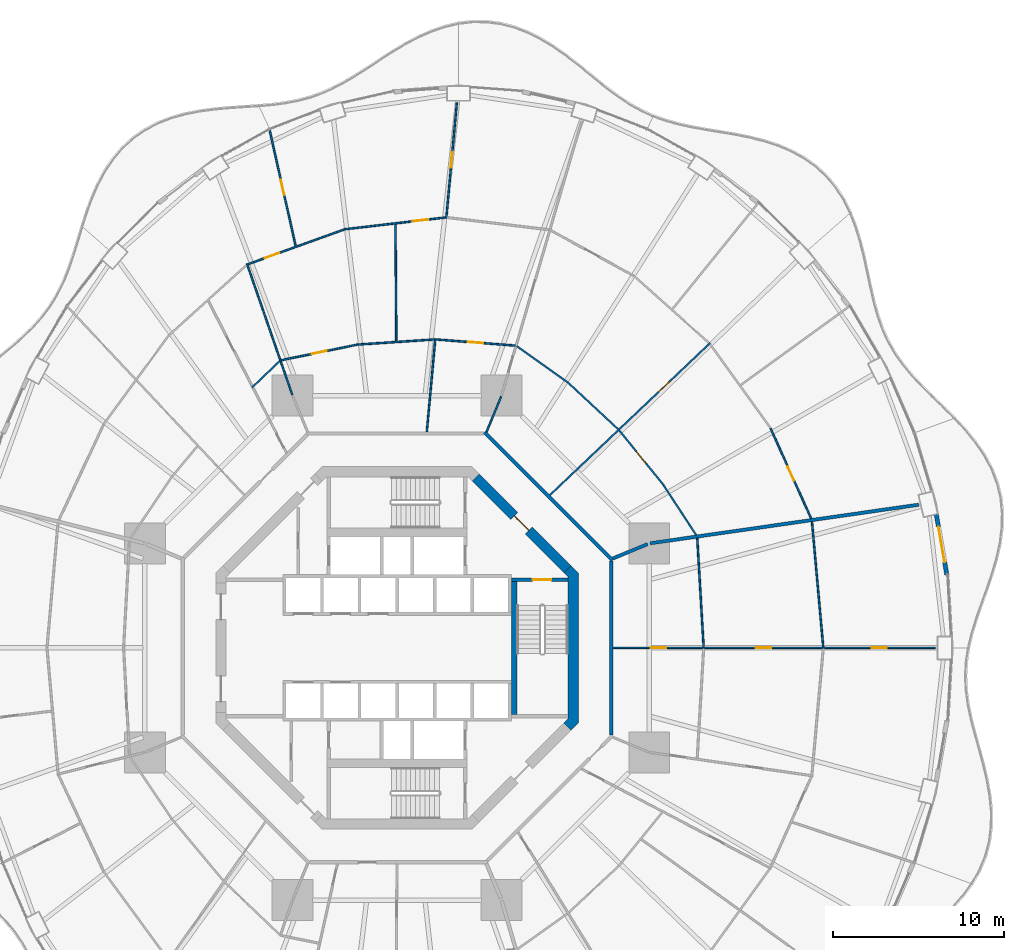
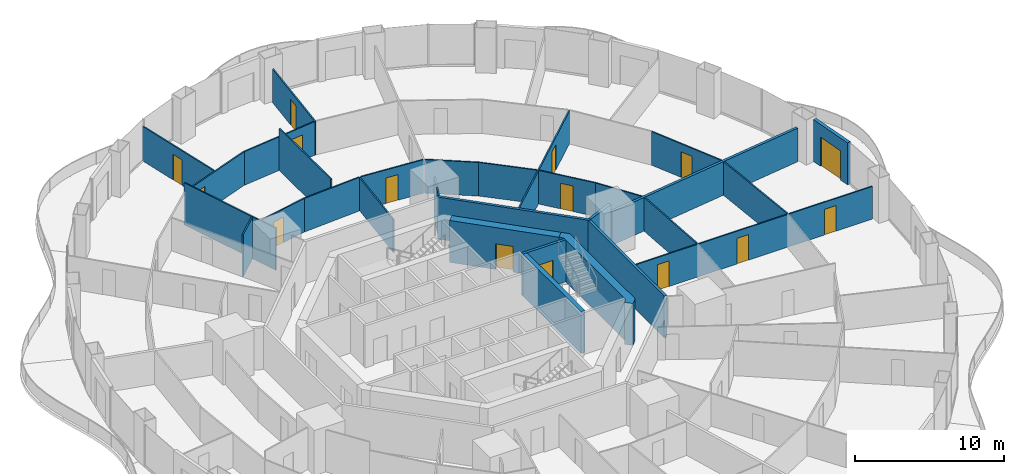
# One storey, part 18 of 22: 30 walls, 15 doors, 15 openings.
"""IFC4 building model written with IfcOpenShell, lengths in metres."""

from ifc_helpers import new_model, si_unit, direction, frame, frame_2d, origin, place, context, subcontext, project, spatial, polyline, rectangle, outline, extrude, material, layer, layer_set, type_object, element, fill, save


model = new_model("IFC4")

# Units and contexts
model_context = context("Model", 3, precision=1e-05, world=origin(), true_north=direction((0.0, 1.0)))
body_context = subcontext(model_context, "Body", "Model", "MODEL_VIEW")
ifc_project = project(units=[si_unit("LENGTHUNIT", "METRE"), si_unit("AREAUNIT", "SQUARE_METRE"), si_unit("VOLUMEUNIT", "CUBIC_METRE"), si_unit("PLANEANGLEUNIT", "RADIAN"), si_unit("MASSUNIT", "GRAM", prefix="KILO")], contexts=[model_context])

# Site, building, storey
site_placement = place(None, origin())
site = spatial("IfcSite", under=ifc_project, at=site_placement, CompositionType="ELEMENT")
building_placement = place(site_placement, origin())
building = spatial("IfcBuilding", under=site, at=building_placement, Name="Nagisa Residences", CompositionType="ELEMENT")
storey_placement = place(building_placement, frame((0.0, 0.0, 45.5)))
storey = spatial("IfcBuildingStorey", under=building, at=storey_placement, Name="L10", CompositionType="ELEMENT", Elevation=45.5)

# Walls
ifc_material_1 = material(Name="Gypsum board on steel studs", Category="steel")
ifc_layer_1 = layer(ifc_material_1, 0.199951171875)
ifc_layer_set_1 = layer_set([ifc_layer_1], Name="Apartment compartment wall EI60 200")
wall_type_1 = type_object("IfcWallType", Name="Apartment compartment wall EI60 200", PredefinedType="PARTITIONING", material=ifc_layer_set_1)
wall_1_placement = place(storey_placement, frame((12.6572265625, 5.24267578125, 0.0), z_axis=(0.0, 0.0, 1.0), x_axis=(0.923853160736, 0.382747093259, 0.0)))
element("IfcWall", 1, at=wall_1_placement, inside=storey, type_object=wall_type_1, Name="wall:L10:u00", PredefinedType="PARTITIONING", context=body_context, shape_type="SweptSolid", body=[
    extrude(rectangle(XDim=2.199951171875, YDim=0.199951171875, at=frame_2d((1.10009765625, 0.0))), origin(), (0.0, 0.0, 1.0), 3.43994140625),
])
wall_2_placement = place(storey_placement, frame((14.83154296875, 6.130126953125, 0.0), z_axis=(0.0, 0.0, 1.0), x_axis=(0.989836541293, 0.142209779978, 0.0)))
element("IfcWall", 2, at=wall_2_placement, inside=storey, type_object=wall_type_1, Name="wall:L10:u01", PredefinedType="PARTITIONING", context=body_context, shape_type="SweptSolid", body=[
    extrude(rectangle(XDim=15.9091796875, YDim=0.199951171875, at=frame_2d((7.95458984375, 0.0))), origin(), (0.0, 0.0, 1.0), 2.756103515625),
])
ifc_material_2 = material(Name="Gypsum board on steel studs", Category="steel")
ifc_layer_2 = layer(ifc_material_2, 0.199951171875)
ifc_layer_set_2 = layer_set([ifc_layer_2], Name="Apartment entry wall EI60 200")
wall_type_2 = type_object("IfcWallType", Name="Apartment entry wall EI60 200", PredefinedType="PARTITIONING", material=ifc_layer_set_2)
wall_3_placement = place(storey_placement, frame((12.564697265625, -5.1044921875, 0.0), z_axis=(0.0, 0.0, 1.0), x_axis=(0.0, 1.0, 0.0)))
element("IfcWall", 3, at=wall_3_placement, inside=storey, type_object=wall_type_2, Name="wall:L10:u06", PredefinedType="PARTITIONING", context=body_context, shape_type="SweptSolid", body=[
    extrude(rectangle(XDim=10.208984375, YDim=0.199951171875, at=frame_2d((5.1044921875, 0.0))), origin(), (0.0, 0.0, 1.0), 3.43994140625),
])
wall_4_placement = place(storey_placement, frame((12.635498046875, 5.1337890625, 0.0), z_axis=(0.0, 0.0, 1.0), x_axis=(-0.707106781187, 0.707106781187, 0.0)))
element("IfcWall", 4, at=wall_4_placement, inside=storey, type_object=wall_type_2, Name="wall:L10:u07", PredefinedType="PARTITIONING", context=body_context, shape_type="SweptSolid", body=[
    extrude(rectangle(XDim=10.609130859375, YDim=0.199951171875, at=frame_2d((5.3046875, 0.0))), origin(), (0.0, 0.0, 1.0), 3.43994140625),
])

# Wall, openings, doors
ifc_material_3 = material(Name="Gypsum board on steel studs", Category="steel")
ifc_layer_3 = layer(ifc_material_3, 0.10009765625)
ifc_layer_set_3 = layer_set([ifc_layer_3], Name="Apartment partition 100")
wall_type_3 = type_object("IfcWallType", Name="Apartment partition 100", PredefinedType="PARTITIONING", material=ifc_layer_set_3)
wall_5_placement = place(storey_placement, frame((12.664794921875, 0.0, 0.0), z_axis=(0.0, 0.0, 1.0), x_axis=(1.0, 0.0, 0.0)))
wall_5 = element("IfcWall", 5, at=wall_5_placement, inside=storey, type_object=wall_type_3, Name="wall:L10:u14", PredefinedType="PARTITIONING", context=body_context, shape_type="SweptSolid", body=[
    extrude(rectangle(XDim=18.88525390625, YDim=0.10009765625, at=frame_2d((9.442626953125, 0.0))), origin(), (0.0, 0.0, 1.0), 2.68701171875),
])
opening_1_placement = place(wall_5_placement, frame((2.204833984375, 0.0, 0.0)))
opening_1 = element("IfcOpeningElement", 6, at=opening_1_placement, cuts=wall_5, Name="Opening L10-U41", PredefinedType="OPENING", context=body_context, shape_type="SweptSolid", body=[
    extrude(rectangle(XDim=0.89990234375, YDim=2.10009765625, at=frame_2d((0.449951171875, 1.050048828125))), frame((0.0, 0.06005859375, 0.0), z_axis=(0.0, -1.0, 0.0), x_axis=(1.0, 0.0, 0.0)), (0.0, 0.0, 1.0), 0.1201171875),
])
opening_2_placement = place(wall_5_placement, frame((8.36572265625, 0.0, 0.0)))
opening_2 = element("IfcOpeningElement", 7, at=opening_2_placement, cuts=wall_5, Name="Opening L10-U45", PredefinedType="OPENING", context=body_context, shape_type="SweptSolid", body=[
    extrude(rectangle(XDim=0.89990234375, YDim=2.10009765625, at=frame_2d((0.449951171875, 1.050048828125))), frame((0.0, 0.06005859375, 0.0), z_axis=(0.0, -1.0, 0.0), x_axis=(1.0, 0.0, 0.0)), (0.0, 0.0, 1.0), 0.1201171875),
])
opening_3_placement = place(wall_5_placement, frame((15.153564453125, 0.0, 0.0)))
opening_3 = element("IfcOpeningElement", 8, at=opening_3_placement, cuts=wall_5, Name="Opening L10-U49", PredefinedType="OPENING", context=body_context, shape_type="SweptSolid", body=[
    extrude(rectangle(XDim=0.89990234375, YDim=2.10009765625, at=frame_2d((0.449951171875, 1.050048828125))), frame((0.0, 0.06005859375, 0.0), z_axis=(0.0, -1.0, 0.0), x_axis=(1.0, 0.0, 0.0)), (0.0, 0.0, 1.0), 0.1201171875),
])
ifc_material_4 = material(Name="Timber door set", Category="wood")
door_type_1 = type_object("IfcDoorType", Name="Apartment door 900x2100", OperationType="NOTDEFINED", PredefinedType="DOOR", material=ifc_material_4)
door_1_placement = place(opening_1_placement, origin())
door_1 = element("IfcDoor", 9, at=door_1_placement, inside=storey, type_object=door_type_1, Name="Door to store, Apartment 10C", OperationType="SINGLE_SWING_LEFT", OverallHeight=2.10009765625, OverallWidth=0.89990234375, PredefinedType="DOOR", context=body_context, shape_type="SweptSolid", body=[
    extrude(rectangle(XDim=0.89990234375, YDim=2.10009765625, at=frame_2d((0.449951171875, 1.050048828125))), frame((0.0, 0.02490234375, 0.0), z_axis=(0.0, -1.0, 0.0), x_axis=(1.0, 0.0, 0.0)), (0.0, 0.0, 1.0), 0.050048828125),
])
fill(opening_1, door_1)
door_2_placement = place(opening_2_placement, origin())
door_2 = element("IfcDoor", 10, at=door_2_placement, inside=storey, type_object=door_type_1, Name="Door to family room, Apartment 10C", OperationType="SINGLE_SWING_LEFT", OverallHeight=2.10009765625, OverallWidth=0.89990234375, PredefinedType="DOOR", context=body_context, shape_type="SweptSolid", body=[
    extrude(rectangle(XDim=0.89990234375, YDim=2.10009765625, at=frame_2d((0.449951171875, 1.050048828125))), frame((0.0, 0.02490234375, 0.0), z_axis=(0.0, -1.0, 0.0), x_axis=(1.0, 0.0, 0.0)), (0.0, 0.0, 1.0), 0.050048828125),
])
fill(opening_2, door_2)
door_3_placement = place(opening_3_placement, origin())
door_3 = element("IfcDoor", 11, at=door_3_placement, inside=storey, type_object=door_type_1, Name="Door to family room, Apartment 10C", OperationType="SINGLE_SWING_LEFT", OverallHeight=2.10009765625, OverallWidth=0.89990234375, PredefinedType="DOOR", context=body_context, shape_type="SweptSolid", body=[
    extrude(rectangle(XDim=0.89990234375, YDim=2.10009765625, at=frame_2d((0.449951171875, 1.050048828125))), frame((0.0, 0.02490234375, 0.0), z_axis=(0.0, -1.0, 0.0), x_axis=(1.0, 0.0, 0.0)), (0.0, 0.0, 1.0), 0.050048828125),
])
fill(opening_3, door_3)

# Walls
wall_6_placement = place(storey_placement, frame((17.971435546875, 0.0498046875, 0.0), z_axis=(0.0, 0.0, 1.0), x_axis=(-0.058513659907, 0.998286607946, 0.0)))
element("IfcWall", 12, at=wall_6_placement, inside=storey, type_object=wall_type_3, Name="wall:L10:u15", PredefinedType="PARTITIONING", context=body_context, shape_type="SweptSolid", body=[
    extrude(rectangle(XDim=6.387939453125, YDim=0.10009765625, at=frame_2d((3.19384765625, 0.0))), origin(), (0.0, 0.0, 1.0), 2.756103515625),
])
wall_7_placement = place(storey_placement, frame((24.982177734375, 0.0498046875, 0.0), z_axis=(0.0, 0.0, 1.0), x_axis=(-0.08944290521, 0.995991951126, 0.0)))
element("IfcWall", 13, at=wall_7_placement, inside=storey, type_object=wall_type_3, Name="wall:L10:u17", PredefinedType="PARTITIONING", context=body_context, shape_type="SweptSolid", body=[
    extrude(rectangle(XDim=7.37255859375, YDim=0.10009765625, at=frame_2d((3.686279296875, 0.0))), origin(), (0.0, 0.0, 1.0), 2.756103515625),
])
wall_8_placement = place(storey_placement, frame((17.537109375, 6.6103515625, 0.0), z_axis=(0.0, 0.0, 1.0), x_axis=(-0.547637987196, 0.836715384692, 0.0)))
element("IfcWall", 14, at=wall_8_placement, inside=storey, type_object=wall_type_3, Name="wall:L10:u19", PredefinedType="PARTITIONING", context=body_context, shape_type="SweptSolid", body=[
    extrude(rectangle(XDim=3.52001953125, YDim=0.10009765625, at=frame_2d((1.760009765625, 0.0))), origin(), (0.0, 0.0, 1.0), 2.756103515625),
])

# Wall, opening, door
wall_9_placement = place(storey_placement, frame((24.272705078125, 7.583740234375, 0.0), z_axis=(0.0, 0.0, 1.0), x_axis=(-0.410201529109, 0.911994904326, 0.0)))
wall_9 = element("IfcWall", 15, at=wall_9_placement, inside=storey, type_object=wall_type_3, Name="wall:L10:u20", PredefinedType="PARTITIONING", context=body_context, shape_type="SweptSolid", body=[
    extrude(rectangle(XDim=5.786865234375, YDim=0.10009765625, at=frame_2d((2.8935546875, 0.0))), origin(), (0.0, 0.0, 1.0), 2.756103515625),
])
opening_4_placement = place(wall_9_placement, frame((2.443603515625, 0.0, 0.0)))
opening_4 = element("IfcOpeningElement", 16, at=opening_4_placement, cuts=wall_9, Name="Opening L10-U19", PredefinedType="OPENING", context=body_context, shape_type="SweptSolid", body=[
    extrude(rectangle(XDim=0.89990234375, YDim=2.10009765625, at=frame_2d((0.449951171875, 1.050048828125))), frame((0.0, 0.06005859375, 0.0), z_axis=(0.0, -1.0, 0.0), x_axis=(1.0, 0.0, 0.0)), (0.0, 0.0, 1.0), 0.1201171875),
])
door_4_placement = place(opening_4_placement, frame((0.89990234375, 0.0, 0.0), x_axis=(-1.0, 0.0, 0.0)))
door_4 = element("IfcDoor", 17, at=door_4_placement, inside=storey, type_object=door_type_1, Name="Door to family room, Apartment 10A", OperationType="SINGLE_SWING_RIGHT", OverallHeight=2.10009765625, OverallWidth=0.89990234375, PredefinedType="DOOR", context=body_context, shape_type="SweptSolid", body=[
    extrude(rectangle(XDim=0.89990234375, YDim=2.10009765625, at=frame_2d((0.449951171875, 1.050048828125))), frame((0.0, 0.02490234375, 0.0), z_axis=(0.0, -1.0, 0.0), x_axis=(1.0, 0.0, 0.0)), (0.0, 0.0, 1.0), 0.050048828125),
])
fill(opening_4, door_4)

wall_10_placement = place(storey_placement, frame((15.613525390625, 9.55859375, 0.0), z_axis=(0.0, 0.0, 1.0), x_axis=(-0.63012473344, 0.776493928056, 0.0)))
wall_10 = element("IfcWall", 18, at=wall_10_placement, inside=storey, type_object=wall_type_3, Name="wall:L10:u21", PredefinedType="PARTITIONING", context=body_context, shape_type="SweptSolid", body=[
    extrude(rectangle(XDim=4.1064453125, YDim=0.10009765625, at=frame_2d((2.05322265625, 0.0))), origin(), (0.0, 0.0, 1.0), 2.756103515625),
])
opening_5_placement = place(wall_10_placement, frame((1.628173828125, 0.0, 0.0)))
opening_5 = element("IfcOpeningElement", 19, at=opening_5_placement, cuts=wall_10, Name="Opening L10-U20", PredefinedType="OPENING", context=body_context, shape_type="SweptSolid", body=[
    extrude(rectangle(XDim=0.89990234375, YDim=2.10009765625, at=frame_2d((0.449951171875, 1.050048828125))), frame((0.0, 0.06005859375, 0.0), z_axis=(0.0, -1.0, 0.0), x_axis=(1.0, 0.0, 0.0)), (0.0, 0.0, 1.0), 0.1201171875),
])
door_5_placement = place(opening_5_placement, origin())
door_5 = element("IfcDoor", 20, at=door_5_placement, inside=storey, type_object=door_type_1, Name="Door to laundry, Apartment 10A", OperationType="SINGLE_SWING_RIGHT", OverallHeight=2.10009765625, OverallWidth=0.89990234375, PredefinedType="DOOR", context=body_context, shape_type="SweptSolid", body=[
    extrude(rectangle(XDim=0.89990234375, YDim=2.10009765625, at=frame_2d((0.449951171875, 1.050048828125))), frame((0.0, 0.02490234375, 0.0), z_axis=(0.0, -1.0, 0.0), x_axis=(1.0, 0.0, 0.0)), (0.0, 0.0, 1.0), 0.050048828125),
])
fill(opening_5, door_5)

wall_11_placement = place(storey_placement, frame((8.95703125, 8.953369140625, 0.0), z_axis=(0.0, 0.0, 1.0), x_axis=(0.725250022034, 0.688485588476, 0.0)))
wall_11 = element("IfcWall", 21, at=wall_11_placement, inside=storey, type_object=wall_type_3, Name="wall:L10:u24", PredefinedType="PARTITIONING", context=body_context, shape_type="SweptSolid", body=[
    extrude(rectangle(XDim=12.962646484375, YDim=0.10009765625, at=frame_2d((6.4814453125, 0.0))), origin(), (0.0, 0.0, 1.0), 2.68701171875),
])
opening_6_placement = place(wall_11_placement, frame((8.78955078125, 0.0, 0.0)))
opening_6 = element("IfcOpeningElement", 22, at=opening_6_placement, cuts=wall_11, Name="Opening L10-U18", PredefinedType="OPENING", context=body_context, shape_type="SweptSolid", body=[
    extrude(rectangle(XDim=0.89990234375, YDim=2.10009765625, at=frame_2d((0.449951171875, 1.050048828125))), frame((0.0, 0.06005859375, 0.0), z_axis=(0.0, -1.0, 0.0), x_axis=(1.0, 0.0, 0.0)), (0.0, 0.0, 1.0), 0.1201171875),
])
door_6_placement = place(opening_6_placement, frame((0.89990234375, 0.0, 0.0), x_axis=(-1.0, 0.0, 0.0)))
door_6 = element("IfcDoor", 23, at=door_6_placement, inside=storey, type_object=door_type_1, Name="Door to dining room, Apartment 10A", OperationType="SINGLE_SWING_LEFT", OverallHeight=2.10009765625, OverallWidth=0.89990234375, PredefinedType="DOOR", context=body_context, shape_type="SweptSolid", body=[
    extrude(rectangle(XDim=0.89990234375, YDim=2.10009765625, at=frame_2d((0.449951171875, 1.050048828125))), frame((0.0, 0.02490234375, 0.0), z_axis=(0.0, -1.0, 0.0), x_axis=(1.0, 0.0, 0.0)), (0.0, 0.0, 1.0), 0.050048828125),
])
fill(opening_6, door_6)

# Walls
wall_12_placement = place(storey_placement, frame((12.957763671875, 12.820068359375, 0.0), z_axis=(0.0, 0.0, 1.0), x_axis=(-0.732028724098, 0.681273768096, 0.0)))
element("IfcWall", 24, at=wall_12_placement, inside=storey, type_object=wall_type_3, Name="wall:L10:u25", PredefinedType="PARTITIONING", context=body_context, shape_type="SweptSolid", body=[
    extrude(rectangle(XDim=4.05029296875, YDim=0.10009765625, at=frame_2d((2.025146484375, 0.0))), origin(), (0.0, 0.0, 1.0), 2.756103515625),
])
wall_13_placement = place(storey_placement, frame((9.98876953125, 15.57421875, 0.0), z_axis=(0.0, 0.0, 1.0), x_axis=(-0.81494477814, 0.57953861699, 0.0)))
element("IfcWall", 25, at=wall_13_placement, inside=storey, type_object=wall_type_3, Name="wall:L10:u28", PredefinedType="PARTITIONING", context=body_context, shape_type="SweptSolid", body=[
    extrude(rectangle(XDim=3.644287109375, YDim=0.10009765625, at=frame_2d((1.822265625, 0.0))), origin(), (0.0, 0.0, 1.0), 2.756103515625),
])
wall_14_placement = place(storey_placement, frame((5.24267578125, 12.6572265625, 0.0), z_axis=(0.0, 0.0, 1.0), x_axis=(0.382719158442, 0.923864733477, 0.0)))
element("IfcWall", 26, at=wall_14_placement, inside=storey, type_object=wall_type_3, Name="wall:L10:u30", PredefinedType="PARTITIONING", context=body_context, shape_type="SweptSolid", body=[
    extrude(rectangle(XDim=2.25, YDim=0.10009765625, at=frame_2d((1.125, 0.0))), origin(), (0.0, 0.0, 1.0), 3.43994140625),
])

# Wall, opening, door
wall_15_placement = place(storey_placement, frame((6.92822265625, 17.71923828125, 0.0), z_axis=(0.0, 0.0, 1.0), x_axis=(-0.997017959142, 0.077169872028, 0.0)))
wall_15 = element("IfcWall", 27, at=wall_15_placement, inside=storey, type_object=wall_type_3, Name="wall:L10:u32", PredefinedType="PARTITIONING", context=body_context, shape_type="SweptSolid", body=[
    extrude(rectangle(XDim=4.65380859375, YDim=0.10009765625, at=frame_2d((2.326904296875, 0.0))), origin(), (0.0, 0.0, 1.0), 2.756103515625),
])
opening_7_placement = place(wall_15_placement, frame((1.876953125, 0.0, 0.0)))
opening_7 = element("IfcOpeningElement", 28, at=opening_7_placement, cuts=wall_15, Name="Opening L10-U13", PredefinedType="OPENING", context=body_context, shape_type="SweptSolid", body=[
    extrude(rectangle(XDim=0.89990234375, YDim=2.10009765625, at=frame_2d((0.449951171875, 1.050048828125))), frame((0.0, 0.06005859375, 0.0), z_axis=(0.0, -1.0, 0.0), x_axis=(1.0, 0.0, 0.0)), (0.0, 0.0, 1.0), 0.1201171875),
])
door_7_placement = place(opening_7_placement, origin())
door_7 = element("IfcDoor", 29, at=door_7_placement, inside=storey, type_object=door_type_1, Name="Door to laundry, Apartment 10A", OperationType="SINGLE_SWING_LEFT", OverallHeight=2.10009765625, OverallWidth=0.89990234375, PredefinedType="DOOR", context=body_context, shape_type="SweptSolid", body=[
    extrude(rectangle(XDim=0.89990234375, YDim=2.10009765625, at=frame_2d((0.449951171875, 1.050048828125))), frame((0.0, 0.02490234375, 0.0), z_axis=(0.0, -1.0, 0.0), x_axis=(1.0, 0.0, 0.0)), (0.0, 0.0, 1.0), 0.050048828125),
])
fill(opening_7, door_7)

# Walls
wall_16_placement = place(storey_placement, frame((1.743896484375, 12.664306640625, 0.0), z_axis=(0.0, 0.0, 1.0), x_axis=(0.090888552747, 0.995861070119, 0.0)))
element("IfcWall", 30, at=wall_16_placement, inside=storey, type_object=wall_type_3, Name="wall:L10:u34", PredefinedType="PARTITIONING", context=body_context, shape_type="SweptSolid", body=[
    extrude(rectangle(XDim=5.490478515625, YDim=0.10009765625, at=frame_2d((2.7451171875, 0.0))), origin(), (0.0, 0.0, 1.0), 2.68701171875),
])
wall_17_placement = place(storey_placement, frame((2.1884765625, 18.078857421875, 0.0), z_axis=(0.0, 0.0, 1.0), x_axis=(-0.997791437766, -0.066424744789, 0.0)))
element("IfcWall", 31, at=wall_17_placement, inside=storey, type_object=wall_type_3, Name="wall:L10:u35", PredefinedType="PARTITIONING", context=body_context, shape_type="SweptSolid", body=[
    extrude(rectangle(XDim=4.46923828125, YDim=0.10009765625, at=frame_2d((2.234619140625, 0.0))), origin(), (0.0, 0.0, 1.0), 2.756103515625),
])

# Wall, opening, door
wall_18_placement = place(storey_placement, frame((2.88671875, 25.184814453125, 0.0), z_axis=(0.0, 0.0, 1.0), x_axis=(0.090885272046, 0.995861369531, 0.0)))
wall_18 = element("IfcWall", 32, at=wall_18_placement, inside=storey, type_object=wall_type_3, Name="wall:L10:u36", PredefinedType="PARTITIONING", context=body_context, shape_type="SweptSolid", body=[
    extrude(rectangle(XDim=6.801513671875, YDim=0.10009765625, at=frame_2d((3.40087890625, 0.0))), origin(), (0.0, 0.0, 1.0), 2.756103515625),
])
opening_8_placement = place(wall_18_placement, frame((2.975830078125, 0.0, 0.0)))
opening_8 = element("IfcOpeningElement", 33, at=opening_8_placement, cuts=wall_18, Name="Opening L10-U12", PredefinedType="OPENING", context=body_context, shape_type="SweptSolid", body=[
    extrude(rectangle(XDim=0.89990234375, YDim=2.10009765625, at=frame_2d((0.449951171875, 1.050048828125))), frame((0.0, 0.06005859375, 0.0), z_axis=(0.0, -1.0, 0.0), x_axis=(1.0, 0.0, 0.0)), (0.0, 0.0, 1.0), 0.1201171875),
])
door_8_placement = place(opening_8_placement, frame((0.89990234375, 0.0, 0.0), x_axis=(-1.0, 0.0, 0.0)))
door_8 = element("IfcDoor", 34, at=door_8_placement, inside=storey, type_object=door_type_1, Name="Door to master bedroom, Apartment 10A", OperationType="SINGLE_SWING_LEFT", OverallHeight=2.10009765625, OverallWidth=0.89990234375, PredefinedType="DOOR", context=body_context, shape_type="SweptSolid", body=[
    extrude(rectangle(XDim=0.89990234375, YDim=2.10009765625, at=frame_2d((0.449951171875, 1.050048828125))), frame((0.0, 0.02490234375, 0.0), z_axis=(0.0, -1.0, 0.0), x_axis=(1.0, 0.0, 0.0)), (0.0, 0.0, 1.0), 0.050048828125),
])
fill(opening_8, door_8)

wall_19_placement = place(storey_placement, frame((2.841552734375, 25.228759765625, 0.0), z_axis=(0.0, 0.0, 1.0), x_axis=(-0.993255612046, -0.115945198862, 0.0)))
wall_19 = element("IfcWall", 35, at=wall_19_placement, inside=storey, type_object=wall_type_3, Name="wall:L10:u37", PredefinedType="PARTITIONING", context=body_context, shape_type="SweptSolid", body=[
    extrude(rectangle(XDim=5.91259765625, YDim=0.10009765625, at=frame_2d((2.956298828125, 0.0))), origin(), (0.0, 0.0, 1.0), 2.756103515625),
])
opening_9_placement = place(wall_19_placement, frame((1.028076171875, 0.0, 0.0)))
opening_9 = element("IfcOpeningElement", 36, at=opening_9_placement, cuts=wall_19, Name="Opening L10-U11", PredefinedType="OPENING", context=body_context, shape_type="SweptSolid", body=[
    extrude(rectangle(XDim=0.89990234375, YDim=2.10009765625, at=frame_2d((0.449951171875, 1.050048828125))), frame((0.0, 0.06005859375, 0.0), z_axis=(0.0, -1.0, 0.0), x_axis=(1.0, 0.0, 0.0)), (0.0, 0.0, 1.0), 0.1201171875),
])
door_9_placement = place(opening_9_placement, origin())
door_9 = element("IfcDoor", 37, at=door_9_placement, inside=storey, type_object=door_type_1, Name="Door to dining room, Apartment 10A", OperationType="SINGLE_SWING_LEFT", OverallHeight=2.10009765625, OverallWidth=0.89990234375, PredefinedType="DOOR", context=body_context, shape_type="SweptSolid", body=[
    extrude(rectangle(XDim=0.89990234375, YDim=2.10009765625, at=frame_2d((0.449951171875, 1.050048828125))), frame((0.0, 0.02490234375, 0.0), z_axis=(0.0, -1.0, 0.0), x_axis=(1.0, 0.0, 0.0)), (0.0, 0.0, 1.0), 0.050048828125),
])
fill(opening_9, door_9)

# Wall
wall_20_placement = place(storey_placement, frame((-0.041748046875, 17.98046875, 0.0), z_axis=(0.0, 0.0, 1.0), x_axis=(-0.007692080119, 0.999970415514, 0.0)))
element("IfcWall", 38, at=wall_20_placement, inside=storey, type_object=wall_type_3, Name="wall:L10:u38", PredefinedType="PARTITIONING", context=body_context, shape_type="SweptSolid", body=[
    extrude(rectangle(XDim=6.855712890625, YDim=0.10009765625, at=frame_2d((3.427734375, 0.0))), origin(), (0.0, 0.0, 1.0), 3.43994140625),
])

# Wall, opening, door
wall_21_placement = place(storey_placement, frame((-2.27197265625, 17.788818359375, 0.0), z_axis=(0.0, 0.0, 1.0), x_axis=(-0.979587203416, -0.2010196779, 0.0)))
wall_21 = element("IfcWall", 39, at=wall_21_placement, inside=storey, type_object=wall_type_3, Name="wall:L10:u39", PredefinedType="PARTITIONING", context=body_context, shape_type="SweptSolid", body=[
    extrude(rectangle(XDim=4.61279296875, YDim=0.10009765625, at=frame_2d((2.306396484375, 0.0))), origin(), (0.0, 0.0, 1.0), 2.756103515625),
])
opening_10_placement = place(wall_21_placement, frame((1.88134765625, 0.0, 0.0)))
opening_10 = element("IfcOpeningElement", 40, at=opening_10_placement, cuts=wall_21, Name="Opening L10-U10", PredefinedType="OPENING", context=body_context, shape_type="SweptSolid", body=[
    extrude(rectangle(XDim=0.89990234375, YDim=2.10009765625, at=frame_2d((0.449951171875, 1.050048828125))), frame((0.0, 0.06005859375, 0.0), z_axis=(0.0, -1.0, 0.0), x_axis=(1.0, 0.0, 0.0)), (0.0, 0.0, 1.0), 0.1201171875),
])
door_10_placement = place(opening_10_placement, origin())
door_10 = element("IfcDoor", 41, at=door_10_placement, inside=storey, type_object=door_type_1, Name="Door to store, Apartment 10A", OperationType="SINGLE_SWING_RIGHT", OverallHeight=2.10009765625, OverallWidth=0.89990234375, PredefinedType="DOOR", context=body_context, shape_type="SweptSolid", body=[
    extrude(rectangle(XDim=0.89990234375, YDim=2.10009765625, at=frame_2d((0.449951171875, 1.050048828125))), frame((0.0, 0.02490234375, 0.0), z_axis=(0.0, -1.0, 0.0), x_axis=(1.0, 0.0, 0.0)), (0.0, 0.0, 1.0), 0.050048828125),
])
fill(opening_10, door_10)

wall_22_placement = place(storey_placement, frame((-3.03369140625, 24.554443359375, 0.0), z_axis=(0.0, 0.0, 1.0), x_axis=(-0.940401691072, -0.340065669288, 0.0)))
wall_22 = element("IfcWall", 42, at=wall_22_placement, inside=storey, type_object=wall_type_3, Name="wall:L10:u40", PredefinedType="PARTITIONING", context=body_context, shape_type="SweptSolid", body=[
    extrude(rectangle(XDim=6.067138671875, YDim=0.10009765625, at=frame_2d((3.03369140625, 0.0))), origin(), (0.0, 0.0, 1.0), 2.756103515625),
])
opening_11_placement = place(wall_22_placement, frame((4.125244140625, 0.0, 0.0)))
opening_11 = element("IfcOpeningElement", 43, at=opening_11_placement, cuts=wall_22, Name="Opening L10-U08", PredefinedType="OPENING", context=body_context, shape_type="SweptSolid", body=[
    extrude(rectangle(XDim=0.89990234375, YDim=2.10009765625, at=frame_2d((0.449951171875, 1.050048828125))), frame((0.0, 0.06005859375, 0.0), z_axis=(0.0, -1.0, 0.0), x_axis=(1.0, 0.0, 0.0)), (0.0, 0.0, 1.0), 0.1201171875),
])
door_11_placement = place(opening_11_placement, origin())
door_11 = element("IfcDoor", 44, at=door_11_placement, inside=storey, type_object=door_type_1, Name="Door to family room, Apartment 10A", OperationType="SINGLE_SWING_RIGHT", OverallHeight=2.10009765625, OverallWidth=0.89990234375, PredefinedType="DOOR", context=body_context, shape_type="SweptSolid", body=[
    extrude(rectangle(XDim=0.89990234375, YDim=2.10009765625, at=frame_2d((0.449951171875, 1.050048828125))), frame((0.0, 0.02490234375, 0.0), z_axis=(0.0, -1.0, 0.0), x_axis=(1.0, 0.0, 0.0)), (0.0, 0.0, 1.0), 0.050048828125),
])
fill(opening_11, door_11)

wall_23_placement = place(storey_placement, frame((-5.944580078125, 23.5546875, 0.0), z_axis=(0.0, 0.0, 1.0), x_axis=(-0.218598565433, 0.975814873421, 0.0)))
wall_23 = element("IfcWall", 45, at=wall_23_placement, inside=storey, type_object=wall_type_3, Name="wall:L10:u41", PredefinedType="PARTITIONING", context=body_context, shape_type="SweptSolid", body=[
    extrude(rectangle(XDim=7.065185546875, YDim=0.10009765625, at=frame_2d((3.53271484375, 0.0))), origin(), (0.0, 0.0, 1.0), 2.8369140625),
])
opening_12_placement = place(wall_23_placement, frame((3.08251953125, 0.0, 0.0)))
opening_12 = element("IfcOpeningElement", 46, at=opening_12_placement, cuts=wall_23, Name="Opening L10-U09", PredefinedType="OPENING", context=body_context, shape_type="SweptSolid", body=[
    extrude(rectangle(XDim=0.89990234375, YDim=2.10009765625, at=frame_2d((0.449951171875, 1.050048828125))), frame((0.0, 0.06005859375, 0.0), z_axis=(0.0, -1.0, 0.0), x_axis=(1.0, 0.0, 0.0)), (0.0, 0.0, 1.0), 0.1201171875),
])
door_12_placement = place(opening_12_placement, frame((0.89990234375, 0.0, 0.0), x_axis=(-1.0, 0.0, 0.0)))
door_12 = element("IfcDoor", 47, at=door_12_placement, inside=storey, type_object=door_type_1, Name="Door to living room, Apartment 10A", OperationType="SINGLE_SWING_RIGHT", OverallHeight=2.10009765625, OverallWidth=0.89990234375, PredefinedType="DOOR", context=body_context, shape_type="SweptSolid", body=[
    extrude(rectangle(XDim=0.89990234375, YDim=2.10009765625, at=frame_2d((0.449951171875, 1.050048828125))), frame((0.0, 0.02490234375, 0.0), z_axis=(0.0, -1.0, 0.0), x_axis=(1.0, 0.0, 0.0)), (0.0, 0.0, 1.0), 0.050048828125),
])
fill(opening_12, door_12)

# Walls
wall_24_placement = place(storey_placement, frame((-6.139404296875, 14.829345703125, 0.0), z_axis=(0.0, 0.0, 1.0), x_axis=(-0.327183700812, 0.944960753642, 0.0)))
element("IfcWall", 48, at=wall_24_placement, inside=storey, type_object=wall_type_3, Name="wall:L10:u43", PredefinedType="PARTITIONING", context=body_context, shape_type="SweptSolid", body=[
    extrude(rectangle(XDim=8.14013671875, YDim=0.10009765625, at=frame_2d((4.070068359375, 0.0))), origin(), (0.0, 0.0, 1.0), 3.43994140625),
])
wall_25_placement = place(storey_placement, frame((-6.875732421875, 16.817138671875, 0.0), z_axis=(0.0, 0.0, 1.0), x_axis=(-0.722762371977, -0.691096631199, 0.0)))
element("IfcWall", 49, at=wall_25_placement, inside=storey, type_object=wall_type_3, Name="wall:L10:u44", PredefinedType="PARTITIONING", context=body_context, shape_type="SweptSolid", body=[
    extrude(rectangle(XDim=2.24365234375, YDim=0.10009765625, at=frame_2d((1.121826171875, 0.0))), origin(), (0.0, 0.0, 1.0), 3.43994140625),
])

# Wall, opening, door
ifc_material_5 = material(Name="Precast concrete C40/50", Category="concrete")
ifc_layer_4 = layer(ifc_material_5, 0.25)
ifc_layer_set_4 = layer_set([ifc_layer_4], Name="BALCONY DOOR WALL 250")
wall_type_4 = type_object("IfcWallType", Name="BALCONY DOOR WALL 250", PredefinedType="SOLIDWALL", material=ifc_layer_set_4)
wall_26_placement = place(storey_placement, frame((31.609130859375, 7.830078125, 0.0), z_axis=(0.0, 0.0, 1.0), x_axis=(0.172217377323, -0.98505897029, 0.0)))
wall_26 = element("IfcWall", 50, at=wall_26_placement, inside=storey, type_object=wall_type_4, Name="wall:L10:bay01", PredefinedType="SOLIDWALL", context=body_context, shape_type="SweptSolid", body=[
    extrude(rectangle(XDim=3.597900390625, YDim=0.25, at=frame_2d((1.798828125, 0.0))), origin(), (0.0, 0.0, 1.0), 3.43994140625),
])
opening_13_placement = place(wall_26_placement, frame((0.7490234375, 0.0, 0.0)))
opening_13 = element("IfcOpeningElement", 51, at=opening_13_placement, cuts=wall_26, Name="Opening BD-L10-01", PredefinedType="OPENING", context=body_context, shape_type="SweptSolid", body=[
    extrude(rectangle(XDim=2.10009765625, YDim=2.39990234375, at=frame_2d((1.050048828125, 1.199951171875))), frame((0.0, 0.135009765625, 0.0), z_axis=(0.0, -1.0, 0.0), x_axis=(1.0, 0.0, 0.0)), (0.0, 0.0, 1.0), 0.27001953125),
])
ifc_material_6 = material(Name="Aluminium and clear glass", Category="aluminium")
door_type_2 = type_object("IfcDoorType", Name="BALCONY SLIDING DOOR 2100x2400", OperationType="SLIDING_TO_LEFT", PredefinedType="DOOR", material=ifc_material_6)
door_13_placement = place(opening_13_placement, origin())
door_13 = element("IfcDoor", 52, at=door_13_placement, inside=storey, type_object=door_type_2, Name="door:L10:bay01", OperationType="SLIDING_TO_LEFT", OverallHeight=2.39990234375, OverallWidth=2.10009765625, PredefinedType="DOOR", context=body_context, shape_type="SweptSolid", body=[
    extrude(rectangle(XDim=2.10009765625, YDim=2.39990234375, at=frame_2d((1.050048828125, 1.199951171875))), frame((0.0, 0.02490234375, 0.0), z_axis=(0.0, -1.0, 0.0), x_axis=(1.0, 0.0, 0.0)), (0.0, 0.0, 1.0), 0.050048828125),
])
fill(opening_13, door_13)

ifc_material_7 = material(Name="Concrete C60", Category="concrete")
ifc_layer_5 = layer(ifc_material_7, 0.60009765625)
ifc_layer_set_5 = layer_set([ifc_layer_5], Name="Core shear wall 600")
wall_type_5 = type_object("IfcWallType", Name="Core shear wall 600", PredefinedType="SHEAR", material=ifc_layer_set_5)
wall_27_placement = place(storey_placement, frame((9.98828125, 4.613037109375, 0.0), z_axis=(0.0, 0.0, 1.0), x_axis=(-0.707106781187, 0.707106781187, 0.0)))
wall_27 = element("IfcWall", 53, at=wall_27_placement, inside=storey, type_object=wall_type_5, Name="wall:L10:core:flat1", PredefinedType="SHEAR", context=body_context, shape_type="SweptSolid", body=[
    extrude(rectangle(XDim=7.601806640625, YDim=0.60009765625, at=frame_2d((3.80078125, 0.0))), origin(), (0.0, 0.0, 1.0), 3.43994140625),
])
opening_14_placement = place(wall_27_placement, frame((3.200927734375, 0.0, 0.0)))
opening_14 = element("IfcOpeningElement", 54, at=opening_14_placement, cuts=wall_27, Name="Opening L10-C15", PredefinedType="OPENING", context=body_context, shape_type="SweptSolid", body=[
    extrude(rectangle(XDim=1.199951171875, YDim=2.10009765625, at=frame_2d((0.60009765625, 1.050048828125))), frame((0.0, 0.31005859375, 0.0), z_axis=(0.0, -1.0, 0.0), x_axis=(1.0, 0.0, 0.0)), (0.0, 0.0, 1.0), 0.6201171875),
])
ifc_material_8 = material(Name="Steel fire door", Category="steel")
door_type_3 = type_object("IfcDoorType", Name="Fire door EI60 1200x2100 single swing", OperationType="NOTDEFINED", PredefinedType="DOOR", material=ifc_material_8)
door_14_placement = place(opening_14_placement, origin())
door_14 = element("IfcDoor", 55, at=door_14_placement, inside=storey, type_object=door_type_3, Name="Firefighting lobby 1 door L10", OperationType="SINGLE_SWING_RIGHT", OverallHeight=2.10009765625, OverallWidth=1.199951171875, PredefinedType="DOOR", context=body_context, shape_type="SweptSolid", body=[
    extrude(rectangle(XDim=1.199951171875, YDim=2.10009765625, at=frame_2d((0.60009765625, 1.050048828125))), frame((0.0, 0.02490234375, 0.0), z_axis=(0.0, -1.0, 0.0), x_axis=(1.0, 0.0, 0.0)), (0.0, 0.0, 1.0), 0.050048828125),
])
fill(opening_14, door_14)

# Wall
wall_28_placement = place(storey_placement, origin())
element("IfcWall", 56, at=wall_28_placement, inside=storey, type_object=wall_type_5, Name="wall:L10:core:flat0", PredefinedType="SHEAR", context=body_context, shape_type="SweptSolid", body=[
    extrude(outline(polyline([(9.776123046875, -4.40087890625), (10.024658203125, -4.15234375), (10.024658203125, -3.801025390625), (10.024658203125, 4.15234375), (9.776123046875, 4.40087890625), (10.200439453125, 4.8251953125), (10.62451171875, 4.40087890625), (10.62451171875, -4.40087890625), (10.200439453125, -4.8251953125), (9.776123046875, -4.40087890625)])), origin(), (0.0, 0.0, 1.0), 3.43994140625),
])

# Wall, opening, door
ifc_material_9 = material(Name="Concrete C60", Category="concrete")
ifc_layer_6 = layer(ifc_material_9, 0.199951171875)
ifc_layer_set_6 = layer_set([ifc_layer_6], Name="Stair enclosure wall 200")
wall_type_6 = type_object("IfcWallType", Name="Stair enclosure wall 200", PredefinedType="SOLIDWALL", material=ifc_layer_set_6)
wall_29_placement = place(storey_placement, frame((6.699951171875, 4.0, 0.0), z_axis=(0.0, 0.0, 1.0), x_axis=(1.0, 0.0, 0.0)))
wall_29 = element("IfcWall", 57, at=wall_29_placement, inside=storey, type_object=wall_type_6, Name="wall:L10:SE_n", PredefinedType="SOLIDWALL", context=body_context, shape_type="SweptSolid", body=[
    extrude(rectangle(XDim=3.32470703125, YDim=0.199951171875, at=frame_2d((1.662353515625, 0.0))), origin(), (0.0, 0.0, 1.0), 3.43994140625),
])
opening_15_placement = place(wall_29_placement, frame((1.25, 0.0, 0.0)))
opening_15 = element("IfcOpeningElement", 58, at=opening_15_placement, cuts=wall_29, Name="Opening L10-C09", PredefinedType="OPENING", context=body_context, shape_type="SweptSolid", body=[
    extrude(rectangle(XDim=1.10009765625, YDim=2.10009765625, at=frame_2d((0.550048828125, 1.050048828125))), frame((0.0, 0.10986328125, 0.0), z_axis=(0.0, -1.0, 0.0), x_axis=(1.0, 0.0, 0.0)), (0.0, 0.0, 1.0), 0.219970703125),
])
ifc_material_10 = material(Name="Steel fire door", Category="steel")
door_type_4 = type_object("IfcDoorType", Name="Fire door EI90 1100x2100 single swing", OperationType="NOTDEFINED", PredefinedType="DOOR", material=ifc_material_10)
door_15_placement = place(opening_15_placement, frame((1.10009765625, 0.0, 0.0), x_axis=(-1.0, 0.0, 0.0)))
door_15 = element("IfcDoor", 59, at=door_15_placement, inside=storey, type_object=door_type_4, Name="Stair door ST-E L10", OperationType="SINGLE_SWING_RIGHT", OverallHeight=2.10009765625, OverallWidth=1.10009765625, PredefinedType="DOOR", context=body_context, shape_type="SweptSolid", body=[
    extrude(rectangle(XDim=1.10009765625, YDim=2.10009765625, at=frame_2d((0.550048828125, 1.050048828125))), frame((0.0, 0.02490234375, 0.0), z_axis=(0.0, -1.0, 0.0), x_axis=(1.0, 0.0, 0.0)), (0.0, 0.0, 1.0), 0.050048828125),
])
fill(opening_15, door_15)

# Wall
wall_30_placement = place(storey_placement, origin())
element("IfcWall", 60, at=wall_30_placement, inside=storey, type_object=wall_type_6, Name="wall:L10:SE_w", PredefinedType="SOLIDWALL", context=body_context, shape_type="SweptSolid", body=[
    extrude(outline(polyline([(7.024658203125, -3.89990234375), (6.699951171875, -3.89990234375), (6.699951171875, 3.89990234375), (7.024658203125, 3.89990234375), (7.024658203125, -3.89990234375)])), origin(), (0.0, 0.0, 1.0), 3.43994140625),
])

save(model, "model.ifc")
